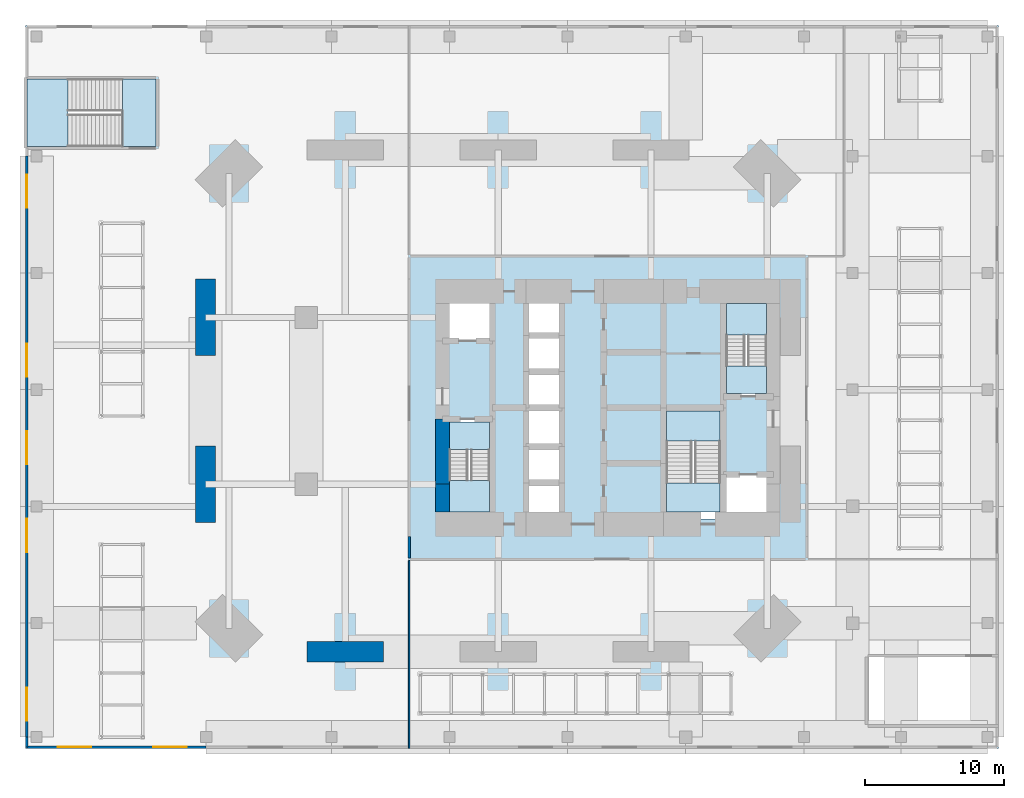
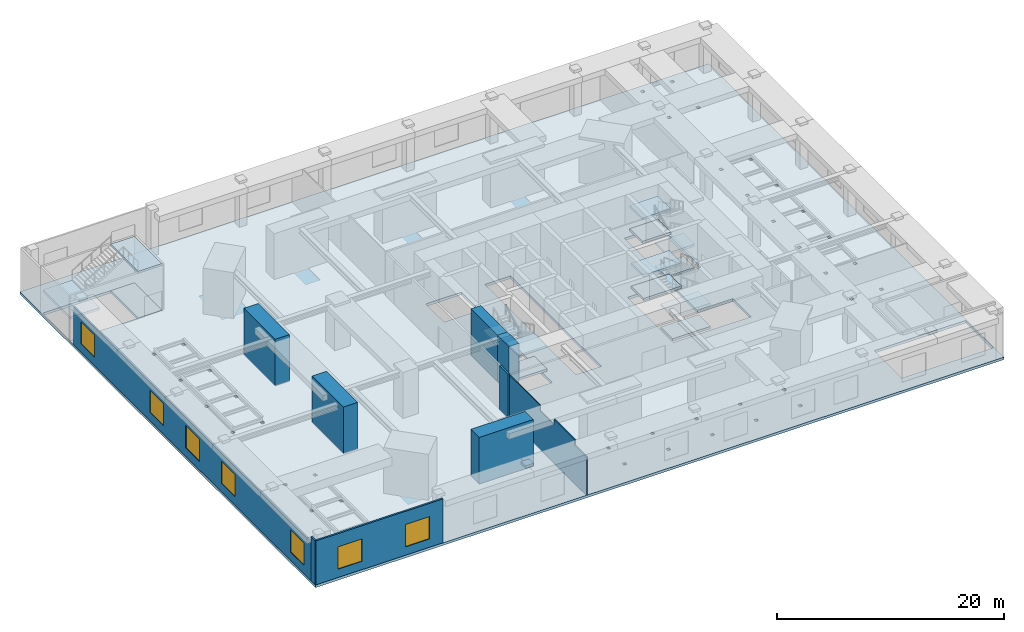
# One storey, part 10 of 17: 16 slabs, 10 walls, 7 windows, 7 openings, 4 elements without a shape of their own.
"""IFC4 building model written with IfcOpenShell, lengths in metres."""

from ifc_helpers import new_model, si_unit, direction, frame, frame_2d, origin, place, context, subcontext, project, spatial, polyline, rectangle, outline, extrude, material, layer, layer_set, constituent, constituent_set, type_object, element, fill, aggregate, save


model = new_model("IFC4")

# Units and contexts
model_context = context("Model", 3, precision=1e-05, world=origin(), true_north=direction((0.0, 1.0)))
body_context = subcontext(model_context, "Body", "Model", "MODEL_VIEW")
ifc_project = project(units=[si_unit("LENGTHUNIT", "METRE"), si_unit("AREAUNIT", "SQUARE_METRE"), si_unit("VOLUMEUNIT", "CUBIC_METRE"), si_unit("PLANEANGLEUNIT", "RADIAN"), si_unit("MASSUNIT", "GRAM", prefix="KILO")], contexts=[model_context])

# Site, building, storey
site_placement = place(None, origin())
site = spatial("IfcSite", under=ifc_project, at=site_placement, CompositionType="ELEMENT")
building_placement = place(site_placement, origin())
building = spatial("IfcBuilding", under=site, at=building_placement, Name="Jalousie Tower", CompositionType="ELEMENT")
storey_placement = place(building_placement, frame((0.0, 0.0, 16.0)))
storey = spatial("IfcBuildingStorey", under=building, at=storey_placement, Name="L03", CompositionType="ELEMENT", Elevation=16.0)

# Slab
ifc_material_1 = material(Name="Concrete f'c 40 MPa", Category="concrete")
ifc_layer_1 = layer(ifc_material_1, 0.280029296875)
ifc_layer_set_1 = layer_set([ifc_layer_1], Name="Concrete f'c 40 MPa")
slab_type_1 = type_object("IfcSlabType", Name="FLOOR SLAB 280", PredefinedType="FLOOR", material=ifc_layer_set_1)
slab_1_placement = place(storey_placement, frame((0.0, 0.0, -0.280029296875)))
element("IfcSlab", 1, at=slab_1_placement, inside=storey, type_object=slab_type_1, Name="L03 floor slab", PredefinedType="FLOOR", context=body_context, shape_type="SweptSolid", body=[
    extrude(outline(polyline([(-10.0, -6.0), (60.0, -6.0), (60.0, 46.0), (-10.0, 46.0), (-10.0, -6.0)]), holes=[polyline([(26.0, 10.5), (26.0, 26.5), (28.60009765625, 26.5), (28.60009765625, 10.5), (26.0, 10.5)]), polyline([(20.0, 10.5), (23.60009765625, 10.5), (23.60009765625, 17.699951171875), (20.0, 17.699951171875), (20.0, 10.5)]), polyline([(20.0, 23.300048828125), (23.60009765625, 23.300048828125), (23.60009765625, 26.5), (20.0, 26.5), (20.0, 23.300048828125)]), polyline([(-9.89990234375, 37.300048828125), (-0.60009765625, 37.300048828125), (-0.60009765625, 42.14990234375), (-9.89990234375, 42.14990234375), (-9.89990234375, 37.300048828125)]), polyline([(50.60009765625, -4.300048828125), (59.89990234375, -4.300048828125), (59.89990234375, 0.550048828125), (50.60009765625, 0.550048828125), (50.60009765625, -4.300048828125)]), polyline([(43.800048828125, 10.5), (35.89990234375, 10.5), (35.89990234375, 18.5), (40.199951171875, 18.5), (40.199951171875, 13.699951171875), (43.800048828125, 13.699951171875), (43.800048828125, 10.5)]), polyline([(40.199951171875, 19.300048828125), (43.800048828125, 19.300048828125), (43.800048828125, 26.5), (40.199951171875, 26.5), (40.199951171875, 19.300048828125)]), polyline([(-4.72509765625, -5.35009765625), (-4.425048828125, -5.35009765625), (-4.425048828125, -5.050048828125), (-4.72509765625, -5.050048828125), (-4.72509765625, -5.35009765625)]), polyline([(-1.72509765625, -5.35009765625), (-1.425048828125, -5.35009765625), (-1.425048828125, -5.050048828125), (-1.72509765625, -5.050048828125), (-1.72509765625, -5.35009765625)]), polyline([(-4.72509765625, -0.727783203125), (-4.425048828125, -0.727783203125), (-4.425048828125, -0.427734375), (-4.72509765625, -0.427734375), (-4.72509765625, -0.727783203125)]), polyline([(-1.72509765625, -0.727783203125), (-1.425048828125, -0.727783203125), (-1.425048828125, -0.427734375), (-1.72509765625, -0.427734375), (-1.72509765625, -0.727783203125)]), polyline([(-4.72509765625, 3.894287109375), (-4.425048828125, 3.894287109375), (-4.425048828125, 4.1943359375), (-4.72509765625, 4.1943359375), (-4.72509765625, 3.894287109375)]), polyline([(-1.72509765625, 3.894287109375), (-1.425048828125, 3.894287109375), (-1.425048828125, 4.1943359375), (-1.72509765625, 4.1943359375), (-1.72509765625, 3.894287109375)]), polyline([(-4.72509765625, 8.5166015625), (-4.425048828125, 8.5166015625), (-4.425048828125, 8.816650390625), (-4.72509765625, 8.816650390625), (-4.72509765625, 8.5166015625)]), polyline([(-1.72509765625, 8.5166015625), (-1.425048828125, 8.5166015625), (-1.425048828125, 8.816650390625), (-1.72509765625, 8.816650390625), (-1.72509765625, 8.5166015625)]), polyline([(-4.72509765625, 17.760986328125), (-4.425048828125, 17.760986328125), (-4.425048828125, 18.06103515625), (-4.72509765625, 18.06103515625), (-4.72509765625, 17.760986328125)]), polyline([(-1.72509765625, 17.760986328125), (-1.425048828125, 17.760986328125), (-1.425048828125, 18.06103515625), (-1.72509765625, 18.06103515625), (-1.72509765625, 17.760986328125)]), polyline([(-4.72509765625, 22.38330078125), (-4.425048828125, 22.38330078125), (-4.425048828125, 22.683349609375), (-4.72509765625, 22.683349609375), (-4.72509765625, 22.38330078125)]), polyline([(-1.72509765625, 22.38330078125), (-1.425048828125, 22.38330078125), (-1.425048828125, 22.683349609375), (-1.72509765625, 22.683349609375), (-1.72509765625, 22.38330078125)]), polyline([(-4.72509765625, 27.005615234375), (-4.425048828125, 27.005615234375), (-4.425048828125, 27.3056640625), (-4.72509765625, 27.3056640625), (-4.72509765625, 27.005615234375)]), polyline([(-1.72509765625, 27.005615234375), (-1.425048828125, 27.005615234375), (-1.425048828125, 27.3056640625), (-1.72509765625, 27.3056640625), (-1.72509765625, 27.005615234375)]), polyline([(-4.72509765625, 31.627685546875), (-4.425048828125, 31.627685546875), (-4.425048828125, 31.927734375), (-4.72509765625, 31.927734375), (-4.72509765625, 31.627685546875)]), polyline([(-1.72509765625, 31.627685546875), (-1.425048828125, 31.627685546875), (-1.425048828125, 31.927734375), (-1.72509765625, 31.927734375), (-1.72509765625, 31.627685546875)]), polyline([(18.25, -3.637451171875), (18.550048828125, -3.637451171875), (18.550048828125, -3.33740234375), (18.25, -3.33740234375), (18.25, -3.637451171875)]), polyline([(18.25, -0.8125), (18.550048828125, -0.8125), (18.550048828125, -0.512451171875), (18.25, -0.512451171875), (18.25, -0.8125)]), polyline([(22.721435546875, -3.637451171875), (23.021484375, -3.637451171875), (23.021484375, -3.33740234375), (22.721435546875, -3.33740234375), (22.721435546875, -3.637451171875)]), polyline([(22.721435546875, -0.8125), (23.021484375, -0.8125), (23.021484375, -0.512451171875), (22.721435546875, -0.512451171875), (22.721435546875, -0.8125)]), polyline([(27.19287109375, -3.637451171875), (27.492919921875, -3.637451171875), (27.492919921875, -3.33740234375), (27.19287109375, -3.33740234375), (27.19287109375, -3.637451171875)]), polyline([(27.19287109375, -0.8125), (27.492919921875, -0.8125), (27.492919921875, -0.512451171875), (27.19287109375, -0.512451171875), (27.19287109375, -0.8125)]), polyline([(31.664306640625, -3.637451171875), (31.96435546875, -3.637451171875), (31.96435546875, -3.33740234375), (31.664306640625, -3.33740234375), (31.664306640625, -3.637451171875)]), polyline([(31.664306640625, -0.8125), (31.96435546875, -0.8125), (31.96435546875, -0.512451171875), (31.664306640625, -0.512451171875), (31.664306640625, -0.8125)]), polyline([(36.1357421875, -3.637451171875), (36.435791015625, -3.637451171875), (36.435791015625, -3.33740234375), (36.1357421875, -3.33740234375), (36.1357421875, -3.637451171875)]), polyline([(36.1357421875, -0.8125), (36.435791015625, -0.8125), (36.435791015625, -0.512451171875), (36.1357421875, -0.512451171875), (36.1357421875, -0.8125)]), polyline([(40.607177734375, -3.637451171875), (40.906982421875, -3.637451171875), (40.906982421875, -3.33740234375), (40.607177734375, -3.33740234375), (40.607177734375, -3.637451171875)]), polyline([(40.607177734375, -0.8125), (40.906982421875, -0.8125), (40.906982421875, -0.512451171875), (40.607177734375, -0.512451171875), (40.607177734375, -0.8125)]), polyline([(52.699951171875, 8.25), (53.0, 8.25), (53.0, 8.550048828125), (52.699951171875, 8.550048828125), (52.699951171875, 8.25)]), polyline([(55.699951171875, 8.25), (56.0, 8.25), (56.0, 8.550048828125), (55.699951171875, 8.550048828125), (55.699951171875, 8.25)]), polyline([(52.699951171875, 12.85009765625), (53.0, 12.85009765625), (53.0, 13.14990234375), (52.699951171875, 13.14990234375), (52.699951171875, 12.85009765625)]), polyline([(55.699951171875, 12.85009765625), (56.0, 12.85009765625), (56.0, 13.14990234375), (55.699951171875, 13.14990234375), (55.699951171875, 12.85009765625)]), polyline([(52.699951171875, 17.449951171875), (53.0, 17.449951171875), (53.0, 17.75), (52.699951171875, 17.75), (52.699951171875, 17.449951171875)]), polyline([(55.699951171875, 17.449951171875), (56.0, 17.449951171875), (56.0, 17.75), (55.699951171875, 17.75), (55.699951171875, 17.449951171875)]), polyline([(52.699951171875, 22.050048828125), (53.0, 22.050048828125), (53.0, 22.35009765625), (52.699951171875, 22.35009765625), (52.699951171875, 22.050048828125)]), polyline([(55.699951171875, 22.050048828125), (56.0, 22.050048828125), (56.0, 22.35009765625), (55.699951171875, 22.35009765625), (55.699951171875, 22.050048828125)]), polyline([(52.699951171875, 26.64990234375), (53.0, 26.64990234375), (53.0, 26.949951171875), (52.699951171875, 26.949951171875), (52.699951171875, 26.64990234375)]), polyline([(55.699951171875, 26.64990234375), (56.0, 26.64990234375), (56.0, 26.949951171875), (55.699951171875, 26.949951171875), (55.699951171875, 26.64990234375)]), polyline([(52.699951171875, 31.25), (53.0, 31.25), (53.0, 31.550048828125), (52.699951171875, 31.550048828125), (52.699951171875, 31.25)]), polyline([(55.699951171875, 31.25), (56.0, 31.25), (56.0, 31.550048828125), (55.699951171875, 31.550048828125), (55.699951171875, 31.25)]), polyline([(52.699951171875, 40.449951171875), (53.0, 40.449951171875), (53.0, 40.75), (52.699951171875, 40.75), (52.699951171875, 40.449951171875)]), polyline([(55.699951171875, 40.449951171875), (56.0, 40.449951171875), (56.0, 40.75), (55.699951171875, 40.75), (55.699951171875, 40.449951171875)]), polyline([(52.699951171875, 45.050048828125), (53.0, 45.050048828125), (53.0, 45.35009765625), (52.699951171875, 45.35009765625), (52.699951171875, 45.050048828125)]), polyline([(55.699951171875, 45.050048828125), (56.0, 45.050048828125), (56.0, 45.35009765625), (55.699951171875, 45.35009765625), (55.699951171875, 45.050048828125)])]), origin(), (0.0, 0.0, 1.0), 0.280029296875),
])

# Stair, slabs
ifc_material_2 = material(Name="Concrete f'c 40 MPa", Category="concrete")
stair_type_1 = type_object("IfcStairType", Name="EXIT STAIR", PredefinedType="HALF_TURN_STAIR", material=ifc_material_2)
stair_1_placement = place(storey_placement, origin())
stair_1 = element("IfcStair", 2, at=stair_1_placement, inside=storey, type_object=stair_type_1, Name="Exit stair A L03", PredefinedType="HALF_TURN_STAIR")
ifc_material_3 = material(Name="Concrete f'c 40 MPa", Category="concrete")
ifc_layer_2 = layer(ifc_material_3, 0.25)
ifc_layer_set_2 = layer_set([ifc_layer_2], Name="Concrete f'c 40 MPa")
slab_type_2 = type_object("IfcSlabType", Name="STAIR LANDING 250", PredefinedType="LANDING", material=ifc_layer_set_2)
slab_2_placement = place(storey_placement, frame((0.0, 0.0, -0.25)))
slab_2 = element("IfcSlab", 3, at=slab_2_placement, type_object=slab_type_2, Name="ST-A landing 1", PredefinedType="LANDING", context=body_context, shape_type="SweptSolid", body=[
    extrude(outline(polyline([(20.5, 15.49755859375), (23.375, 15.49755859375), (23.375, 17.47509765625), (20.5, 17.47509765625), (20.5, 15.49755859375)])), origin(), (0.0, 0.0, 1.0), 0.25),
])
slab_3_placement = place(storey_placement, frame((0.0, 0.0, 1.0)))
slab_3 = element("IfcSlab", 4, at=slab_3_placement, type_object=slab_type_2, Name="ST-A landing 2", PredefinedType="LANDING", context=body_context, shape_type="SweptSolid", body=[
    extrude(outline(polyline([(20.5, 11.0), (23.375, 11.0), (23.375, 13.257568359375), (20.5, 13.257568359375), (20.5, 11.0)])), origin(), (0.0, 0.0, 1.0), 0.25),
])
slab_4_placement = place(storey_placement, frame((0.0, 0.0, 2.25)))
slab_4 = element("IfcSlab", 5, at=slab_4_placement, type_object=slab_type_2, Name="ST-A landing 3", PredefinedType="LANDING", context=body_context, shape_type="SweptSolid", body=[
    extrude(outline(polyline([(20.5, 15.49755859375), (23.375, 15.49755859375), (23.375, 17.47509765625), (20.5, 17.47509765625), (20.5, 15.49755859375)])), origin(), (0.0, 0.0, 1.0), 0.25),
])
slab_5_placement = place(storey_placement, frame((0.0, 0.0, 3.5)))
slab_5 = element("IfcSlab", 6, at=slab_5_placement, type_object=slab_type_2, Name="ST-A landing 4", PredefinedType="LANDING", context=body_context, shape_type="SweptSolid", body=[
    extrude(outline(polyline([(20.5, 11.0), (23.375, 11.0), (23.375, 13.257568359375), (20.5, 13.257568359375), (20.5, 11.0)])), origin(), (0.0, 0.0, 1.0), 0.25),
])
aggregate(stair_1, [slab_2, slab_3, slab_4, slab_5])

stair_2_placement = place(storey_placement, origin())
stair_2 = element("IfcStair", 7, at=stair_2_placement, inside=storey, type_object=stair_type_1, Name="Exit stair B L03", PredefinedType="HALF_TURN_STAIR")
slab_6_placement = place(storey_placement, frame((0.0, 0.0, -0.25)))
slab_6 = element("IfcSlab", 8, at=slab_6_placement, type_object=slab_type_2, Name="ST-B landing 1", PredefinedType="LANDING", context=body_context, shape_type="SweptSolid", body=[
    extrude(outline(polyline([(40.425048828125, 19.52490234375), (43.300048828125, 19.52490234375), (43.300048828125, 21.50244140625), (40.425048828125, 21.50244140625), (40.425048828125, 19.52490234375)])), origin(), (0.0, 0.0, 1.0), 0.25),
])
slab_7_placement = place(storey_placement, frame((0.0, 0.0, 1.0)))
slab_7 = element("IfcSlab", 9, at=slab_7_placement, type_object=slab_type_2, Name="ST-B landing 2", PredefinedType="LANDING", context=body_context, shape_type="SweptSolid", body=[
    extrude(outline(polyline([(40.425048828125, 23.742431640625), (43.300048828125, 23.742431640625), (43.300048828125, 26.0), (40.425048828125, 26.0), (40.425048828125, 23.742431640625)])), origin(), (0.0, 0.0, 1.0), 0.25),
])
slab_8_placement = place(storey_placement, frame((0.0, 0.0, 2.25)))
slab_8 = element("IfcSlab", 10, at=slab_8_placement, type_object=slab_type_2, Name="ST-B landing 3", PredefinedType="LANDING", context=body_context, shape_type="SweptSolid", body=[
    extrude(outline(polyline([(40.425048828125, 19.52490234375), (43.300048828125, 19.52490234375), (43.300048828125, 21.50244140625), (40.425048828125, 21.50244140625), (40.425048828125, 19.52490234375)])), origin(), (0.0, 0.0, 1.0), 0.25),
])
slab_9_placement = place(storey_placement, frame((0.0, 0.0, 3.5)))
slab_9 = element("IfcSlab", 11, at=slab_9_placement, type_object=slab_type_2, Name="ST-B landing 4", PredefinedType="LANDING", context=body_context, shape_type="SweptSolid", body=[
    extrude(outline(polyline([(40.425048828125, 23.742431640625), (43.300048828125, 23.742431640625), (43.300048828125, 26.0), (40.425048828125, 26.0), (40.425048828125, 23.742431640625)])), origin(), (0.0, 0.0, 1.0), 0.25),
])
aggregate(stair_2, [slab_6, slab_7, slab_8, slab_9])

stair_3_placement = place(storey_placement, origin())
stair_3 = element("IfcStair", 12, at=stair_3_placement, inside=storey, type_object=stair_type_1, Name="Exit stair C L03", PredefinedType="HALF_TURN_STAIR")
slab_10_placement = place(storey_placement, frame((0.0, 0.0, -0.25)))
slab_10 = element("IfcSlab", 13, at=slab_10_placement, type_object=slab_type_2, Name="ST-C landing 1", PredefinedType="LANDING", context=body_context, shape_type="SweptSolid", body=[
    extrude(outline(polyline([(36.125, 11.0), (39.97509765625, 11.0), (39.97509765625, 13.097412109375), (36.125, 13.097412109375), (36.125, 11.0)])), origin(), (0.0, 0.0, 1.0), 0.25),
])
slab_11_placement = place(storey_placement, frame((0.0, 0.0, 1.0)))
slab_11 = element("IfcSlab", 14, at=slab_11_placement, type_object=slab_type_2, Name="ST-C landing 2", PredefinedType="LANDING", context=body_context, shape_type="SweptSolid", body=[
    extrude(outline(polyline([(36.125, 16.097412109375), (39.97509765625, 16.097412109375), (39.97509765625, 18.27490234375), (36.125, 18.27490234375), (36.125, 16.097412109375)])), origin(), (0.0, 0.0, 1.0), 0.25),
])
slab_12_placement = place(storey_placement, frame((0.0, 0.0, 2.25)))
slab_12 = element("IfcSlab", 15, at=slab_12_placement, type_object=slab_type_2, Name="ST-C landing 3", PredefinedType="LANDING", context=body_context, shape_type="SweptSolid", body=[
    extrude(outline(polyline([(36.125, 11.0), (39.97509765625, 11.0), (39.97509765625, 13.097412109375), (36.125, 13.097412109375), (36.125, 11.0)])), origin(), (0.0, 0.0, 1.0), 0.25),
])
slab_13_placement = place(storey_placement, frame((0.0, 0.0, 3.5)))
slab_13 = element("IfcSlab", 16, at=slab_13_placement, type_object=slab_type_2, Name="ST-C landing 4", PredefinedType="LANDING", context=body_context, shape_type="SweptSolid", body=[
    extrude(outline(polyline([(36.125, 16.097412109375), (39.97509765625, 16.097412109375), (39.97509765625, 18.27490234375), (36.125, 18.27490234375), (36.125, 16.097412109375)])), origin(), (0.0, 0.0, 1.0), 0.25),
])
aggregate(stair_3, [slab_10, slab_11, slab_12, slab_13])

ifc_material_4 = material(Name="Concrete f'c 40 MPa", Category="concrete")
stair_type_2 = type_object("IfcStairType", Name="WIDE EXIT STAIR", PredefinedType="HALF_TURN_STAIR", material=ifc_material_4)
stair_4_placement = place(storey_placement, origin())
stair_4 = element("IfcStair", 17, at=stair_4_placement, inside=storey, type_object=stair_type_2, Name="Exit stair PS1 L03", PredefinedType="HALF_TURN_STAIR")
slab_14_placement = place(storey_placement, frame((0.0, 0.0, -0.25)))
slab_14 = element("IfcSlab", 18, at=slab_14_placement, type_object=slab_type_2, Name="PS1 landing 1", PredefinedType="LANDING", context=body_context, shape_type="SweptSolid", body=[
    extrude(outline(polyline([(-0.60009765625, 37.300048828125), (-0.60009765625, 42.14990234375), (-3.010009765625, 42.14990234375), (-3.010009765625, 37.300048828125), (-0.60009765625, 37.300048828125)])), origin(), (0.0, 0.0, 1.0), 0.25),
])
slab_15_placement = place(storey_placement, frame((0.0, 0.0, 2.25)))
slab_15 = element("IfcSlab", 19, at=slab_15_placement, type_object=slab_type_2, Name="PS1 landing 2", PredefinedType="LANDING", context=body_context, shape_type="SweptSolid", body=[
    extrude(outline(polyline([(-6.929931640625, 42.14990234375), (-9.89990234375, 42.14990234375), (-9.89990234375, 37.300048828125), (-6.929931640625, 37.300048828125), (-6.929931640625, 42.14990234375)])), origin(), (0.0, 0.0, 1.0), 0.25),
])
slab_16_placement = place(storey_placement, frame((0.0, 0.0, 4.75)))
slab_16 = element("IfcSlab", 20, at=slab_16_placement, type_object=slab_type_2, Name="PS1 landing 3", PredefinedType="LANDING", context=body_context, shape_type="SweptSolid", body=[
    extrude(outline(polyline([(-0.60009765625, 37.300048828125), (-0.60009765625, 42.14990234375), (-3.010009765625, 42.14990234375), (-3.010009765625, 37.300048828125), (-0.60009765625, 37.300048828125)])), origin(), (0.0, 0.0, 1.0), 0.25),
])
aggregate(stair_4, [slab_14, slab_15, slab_16])

# Walls
ifc_material_5 = material(Name="Concrete f'c 120 MPa", Category="concrete")
ifc_layer_3 = layer(ifc_material_5, 1.0)
ifc_layer_set_3 = layer_set([ifc_layer_3], Name="Concrete f'c 120 MPa")
wall_type_1 = type_object("IfcWallType", Name="CORE WALL 1000", PredefinedType="SHEAR", material=ifc_layer_set_3)
wall_1_placement = place(storey_placement, frame((20.0, 17.699951171875, 0.0), z_axis=(0.0, 0.0, 1.0), x_axis=(0.0, -1.0, 0.0)))
element("IfcWall", 21, at=wall_1_placement, inside=storey, type_object=wall_type_1, Name="Core wall WC L03", PredefinedType="SHEAR", context=body_context, shape_type="SweptSolid", body=[
    extrude(rectangle(XDim=4.699951171875, YDim=1.0, at=frame_2d((2.35009765625, 0.0))), origin(), (0.0, 0.0, 1.0), 5.0),
])
wall_2_placement = place(storey_placement, frame((20.0, 13.0, 0.0), z_axis=(0.0, 0.0, 1.0), x_axis=(0.0, -1.0, 0.0)))
element("IfcWall", 22, at=wall_2_placement, inside=storey, type_object=wall_type_1, Name="Core wall WD L03", PredefinedType="SHEAR", context=body_context, shape_type="SweptSolid", body=[
    extrude(rectangle(XDim=2.0, YDim=1.0, at=frame_2d((1.0, 0.0))), origin(), (0.0, 0.0, 1.0), 5.0),
])
ifc_material_6 = material(Name="Concrete block ASTM C90", Category="concrete")
ifc_constituent_1 = constituent(ifc_material_6, Name="Body")
ifc_material_7 = material(Name="Render")
ifc_constituent_2 = constituent(ifc_material_7, Name="Finish")
ifc_constituent_set_1 = constituent_set(constituents=[ifc_constituent_1, ifc_constituent_2])
wall_type_2 = type_object("IfcWallType", Name="CORRIDOR WALL 200", PredefinedType="PARTITIONING", material=ifc_constituent_set_1)
wall_3_placement = place(storey_placement, frame((17.60009765625, 7.699951171875, 0.0), z_axis=(0.0, 0.0, 1.0), x_axis=(0.0, 1.0, 0.0)))
element("IfcWall", 23, at=wall_3_placement, inside=storey, type_object=wall_type_2, Name="Corridor Wall 200 L03", PredefinedType="PARTITIONING", context=body_context, shape_type="SweptSolid", body=[
    extrude(rectangle(XDim=1.550048828125, YDim=0.199951171875, at=frame_2d((0.77490234375, 0.0))), origin(), (0.0, 0.0, 1.0), 4.719970703125),
])

# Wall, openings, windows
ifc_material_8 = material(Name="Concrete f'c 40 MPa", Category="concrete")
ifc_constituent_3 = constituent(ifc_material_8, Name="Body")
ifc_material_9 = material(Name="Render, pastel coral")
ifc_constituent_4 = constituent(ifc_material_9, Name="Finish")
ifc_constituent_set_2 = constituent_set(constituents=[ifc_constituent_3, ifc_constituent_4])
wall_type_3 = type_object("IfcWallType", Name="EXTERNAL WALL 175 CORAL RENDER", PredefinedType="SOLIDWALL", material=ifc_constituent_set_2)
wall_4_placement = place(storey_placement, frame((-9.91259765625, -5.91259765625, 0.0), z_axis=(0.0, 0.0, 1.0), x_axis=(1.0, 0.0, 0.0)))
wall_4 = element("IfcWall", 24, at=wall_4_placement, inside=storey, type_object=wall_type_3, Name="External Wall 175 Coral Render L03-A", PredefinedType="SOLIDWALL", context=body_context, shape_type="SweptSolid", body=[
    extrude(rectangle(XDim=12.91259765625, YDim=0.175048828125, at=frame_2d((6.456298828125, 0.0))), origin(), (0.0, 0.0, 1.0), 4.719970703125),
])
opening_1_placement = place(wall_4_placement, frame((2.23291015625, 0.0, 0.89990234375)))
opening_1 = element("IfcOpeningElement", 25, at=opening_1_placement, cuts=wall_4, Name="Opening W-PLANT", PredefinedType="OPENING", context=body_context, shape_type="SweptSolid", body=[
    extrude(rectangle(XDim=2.39990234375, YDim=2.39990234375, at=frame_2d((1.199951171875, 1.199951171875))), frame((0.0, 0.097412109375, 0.0), z_axis=(0.0, -1.0, 0.0), x_axis=(1.0, 0.0, 0.0)), (0.0, 0.0, 1.0), 0.195068359375),
])
opening_2_placement = place(wall_4_placement, frame((9.098388671875, 0.0, 0.89990234375)))
opening_2 = element("IfcOpeningElement", 26, at=opening_2_placement, cuts=wall_4, Name="Opening W-PLANT", PredefinedType="OPENING", context=body_context, shape_type="SweptSolid", body=[
    extrude(rectangle(XDim=2.39990234375, YDim=2.39990234375, at=frame_2d((1.199951171875, 1.199951171875))), frame((0.0, 0.097412109375, 0.0), z_axis=(0.0, -1.0, 0.0), x_axis=(1.0, 0.0, 0.0)), (0.0, 0.0, 1.0), 0.195068359375),
])
ifc_material_10 = material(Name="Aluminium frame, impact-rated glazing", Category="aluminium")
window_type = type_object("IfcWindowType", Name="WINDOW PLANT 2400x2400", PartitioningType="DOUBLE_PANEL_VERTICAL", PredefinedType="WINDOW", material=ifc_material_10)
window_1_placement = place(opening_1_placement, origin())
window_1 = element("IfcWindow", 27, at=window_1_placement, inside=storey, type_object=window_type, Name="Mechanical plant room louvre", OverallHeight=2.39990234375, OverallWidth=2.39990234375, PartitioningType="SINGLE_PANEL", PredefinedType="WINDOW", context=body_context, shape_type="SweptSolid", body=[
    extrude(rectangle(XDim=2.39990234375, YDim=2.39990234375, at=frame_2d((1.199951171875, 1.199951171875))), frame((0.0, 0.030029296875, 0.0), z_axis=(0.0, -1.0, 0.0), x_axis=(1.0, 0.0, 0.0)), (0.0, 0.0, 1.0), 0.06005859375),
])
fill(opening_1, window_1)
window_2_placement = place(opening_2_placement, origin())
window_2 = element("IfcWindow", 28, at=window_2_placement, inside=storey, type_object=window_type, Name="Mechanical plant room louvre", OverallHeight=2.39990234375, OverallWidth=2.39990234375, PartitioningType="SINGLE_PANEL", PredefinedType="WINDOW", context=body_context, shape_type="SweptSolid", body=[
    extrude(rectangle(XDim=2.39990234375, YDim=2.39990234375, at=frame_2d((1.199951171875, 1.199951171875))), frame((0.0, 0.030029296875, 0.0), z_axis=(0.0, -1.0, 0.0), x_axis=(1.0, 0.0, 0.0)), (0.0, 0.0, 1.0), 0.06005859375),
])
fill(opening_2, window_2)

wall_5_placement = place(storey_placement, frame((-9.91259765625, 36.60009765625, 0.0), z_axis=(0.0, 0.0, 1.0), x_axis=(0.0, -1.0, 0.0)))
wall_5 = element("IfcWall", 29, at=wall_5_placement, inside=storey, type_object=wall_type_3, Name="External Wall 175 Coral Render L03-B", PredefinedType="SOLIDWALL", context=body_context, shape_type="SweptSolid", body=[
    extrude(rectangle(XDim=41.800048828125, YDim=0.175048828125, at=frame_2d((20.89990234375, 0.0))), origin(), (0.0, 0.0, 1.0), 4.1201171875),
])
opening_3_placement = place(wall_5_placement, frame((1.325927734375, 0.0, 0.89990234375)))
opening_3 = element("IfcOpeningElement", 30, at=opening_3_placement, cuts=wall_5, Name="Opening W-PLANT", PredefinedType="OPENING", context=body_context, shape_type="SweptSolid", body=[
    extrude(rectangle(XDim=2.39990234375, YDim=2.39990234375, at=frame_2d((1.199951171875, 1.199951171875))), frame((0.0, 0.097412109375, 0.0), z_axis=(0.0, -1.0, 0.0), x_axis=(1.0, 0.0, 0.0)), (0.0, 0.0, 1.0), 0.195068359375),
])
opening_4_placement = place(wall_5_placement, frame((13.476806640625, 0.0, 0.89990234375)))
opening_4 = element("IfcOpeningElement", 31, at=opening_4_placement, cuts=wall_5, Name="Opening W-PLANT", PredefinedType="OPENING", context=body_context, shape_type="SweptSolid", body=[
    extrude(rectangle(XDim=2.39990234375, YDim=2.39990234375, at=frame_2d((1.199951171875, 1.199951171875))), frame((0.0, 0.097412109375, 0.0), z_axis=(0.0, -1.0, 0.0), x_axis=(1.0, 0.0, 0.0)), (0.0, 0.0, 1.0), 0.195068359375),
])
opening_5_placement = place(wall_5_placement, frame((19.78125, 0.0, 0.89990234375)))
opening_5 = element("IfcOpeningElement", 32, at=opening_5_placement, cuts=wall_5, Name="Opening W-PLANT", PredefinedType="OPENING", context=body_context, shape_type="SweptSolid", body=[
    extrude(rectangle(XDim=2.39990234375, YDim=2.39990234375, at=frame_2d((1.199951171875, 1.199951171875))), frame((0.0, 0.097412109375, 0.0), z_axis=(0.0, -1.0, 0.0), x_axis=(1.0, 0.0, 0.0)), (0.0, 0.0, 1.0), 0.195068359375),
])
opening_6_placement = place(wall_5_placement, frame((26.085693359375, 0.0, 0.89990234375)))
opening_6 = element("IfcOpeningElement", 33, at=opening_6_placement, cuts=wall_5, Name="Opening W-PLANT", PredefinedType="OPENING", context=body_context, shape_type="SweptSolid", body=[
    extrude(rectangle(XDim=2.39990234375, YDim=2.39990234375, at=frame_2d((1.199951171875, 1.199951171875))), frame((0.0, 0.097412109375, 0.0), z_axis=(0.0, -1.0, 0.0), x_axis=(1.0, 0.0, 0.0)), (0.0, 0.0, 1.0), 0.195068359375),
])
opening_7_placement = place(wall_5_placement, frame((38.236572265625, 0.0, 0.89990234375)))
opening_7 = element("IfcOpeningElement", 34, at=opening_7_placement, cuts=wall_5, Name="Opening W-PLANT", PredefinedType="OPENING", context=body_context, shape_type="SweptSolid", body=[
    extrude(rectangle(XDim=2.39990234375, YDim=2.39990234375, at=frame_2d((1.199951171875, 1.199951171875))), frame((0.0, 0.097412109375, 0.0), z_axis=(0.0, -1.0, 0.0), x_axis=(1.0, 0.0, 0.0)), (0.0, 0.0, 1.0), 0.195068359375),
])
window_3_placement = place(opening_3_placement, origin())
window_3 = element("IfcWindow", 35, at=window_3_placement, inside=storey, type_object=window_type, Name="Mechanical plant room louvre", OverallHeight=2.39990234375, OverallWidth=2.39990234375, PartitioningType="SINGLE_PANEL", PredefinedType="WINDOW", context=body_context, shape_type="SweptSolid", body=[
    extrude(rectangle(XDim=2.39990234375, YDim=2.39990234375, at=frame_2d((1.199951171875, 1.199951171875))), frame((0.0, 0.030029296875, 0.0), z_axis=(0.0, -1.0, 0.0), x_axis=(1.0, 0.0, 0.0)), (0.0, 0.0, 1.0), 0.06005859375),
])
fill(opening_3, window_3)
window_4_placement = place(opening_4_placement, origin())
window_4 = element("IfcWindow", 36, at=window_4_placement, inside=storey, type_object=window_type, Name="Mechanical plant room louvre", OverallHeight=2.39990234375, OverallWidth=2.39990234375, PartitioningType="SINGLE_PANEL", PredefinedType="WINDOW", context=body_context, shape_type="SweptSolid", body=[
    extrude(rectangle(XDim=2.39990234375, YDim=2.39990234375, at=frame_2d((1.199951171875, 1.199951171875))), frame((0.0, 0.030029296875, 0.0), z_axis=(0.0, -1.0, 0.0), x_axis=(1.0, 0.0, 0.0)), (0.0, 0.0, 1.0), 0.06005859375),
])
fill(opening_4, window_4)
window_5_placement = place(opening_5_placement, origin())
window_5 = element("IfcWindow", 37, at=window_5_placement, inside=storey, type_object=window_type, Name="Mechanical plant room louvre", OverallHeight=2.39990234375, OverallWidth=2.39990234375, PartitioningType="SINGLE_PANEL", PredefinedType="WINDOW", context=body_context, shape_type="SweptSolid", body=[
    extrude(rectangle(XDim=2.39990234375, YDim=2.39990234375, at=frame_2d((1.199951171875, 1.199951171875))), frame((0.0, 0.030029296875, 0.0), z_axis=(0.0, -1.0, 0.0), x_axis=(1.0, 0.0, 0.0)), (0.0, 0.0, 1.0), 0.06005859375),
])
fill(opening_5, window_5)
window_6_placement = place(opening_6_placement, origin())
window_6 = element("IfcWindow", 38, at=window_6_placement, inside=storey, type_object=window_type, Name="Mechanical plant room louvre", OverallHeight=2.39990234375, OverallWidth=2.39990234375, PartitioningType="SINGLE_PANEL", PredefinedType="WINDOW", context=body_context, shape_type="SweptSolid", body=[
    extrude(rectangle(XDim=2.39990234375, YDim=2.39990234375, at=frame_2d((1.199951171875, 1.199951171875))), frame((0.0, 0.030029296875, 0.0), z_axis=(0.0, -1.0, 0.0), x_axis=(1.0, 0.0, 0.0)), (0.0, 0.0, 1.0), 0.06005859375),
])
fill(opening_6, window_6)
window_7_placement = place(opening_7_placement, origin())
window_7 = element("IfcWindow", 39, at=window_7_placement, inside=storey, type_object=window_type, Name="Mechanical plant room louvre", OverallHeight=2.39990234375, OverallWidth=2.39990234375, PartitioningType="SINGLE_PANEL", PredefinedType="WINDOW", context=body_context, shape_type="SweptSolid", body=[
    extrude(rectangle(XDim=2.39990234375, YDim=2.39990234375, at=frame_2d((1.199951171875, 1.199951171875))), frame((0.0, 0.030029296875, 0.0), z_axis=(0.0, -1.0, 0.0), x_axis=(1.0, 0.0, 0.0)), (0.0, 0.0, 1.0), 0.06005859375),
])
fill(opening_7, window_7)

# Walls
wall_6_placement = place(storey_placement, frame((-9.91259765625, -5.199951171875, 0.0), z_axis=(0.0, 0.0, 1.0), x_axis=(0.0, -1.0, 0.0)))
element("IfcWall", 40, at=wall_6_placement, inside=storey, type_object=wall_type_3, Name="External Wall 175 Coral Render L03-C", PredefinedType="SOLIDWALL", context=body_context, shape_type="SweptSolid", body=[
    extrude(rectangle(XDim=0.712646484375, YDim=0.175048828125, at=frame_2d((0.3564453125, 0.0))), origin(), (0.0, 0.0, 1.0), 4.719970703125),
])
ifc_material_11 = material(Name="Gypsum board", Category="gypsum")
ifc_constituent_5 = constituent(ifc_material_11, Name="Body")
ifc_material_12 = material(Name="Light-gauge steel studs ASTM A653 SS Grade 33", Category="steel")
ifc_constituent_6 = constituent(ifc_material_12, Name="Framing")
ifc_constituent_set_3 = constituent_set(constituents=[ifc_constituent_5, ifc_constituent_6])
wall_type_4 = type_object("IfcWallType", Name="PARTITION 100", PredefinedType="PARTITIONING", material=ifc_constituent_set_3)
wall_7_placement = place(storey_placement, frame((17.60009765625, -6.0, 0.0), z_axis=(0.0, 0.0, 1.0), x_axis=(0.0, 1.0, 0.0)))
element("IfcWall", 41, at=wall_7_placement, inside=storey, type_object=wall_type_4, Name="Partition 100 L03", PredefinedType="PARTITIONING", context=body_context, shape_type="SweptSolid", body=[
    extrude(outline(polyline([(0.0, 0.0), (13.5, 0.0), (13.5, 4.719970703125), (8.2099609375, 4.719970703125), (8.2099609375, 4.1201171875), (5.68994140625, 4.1201171875), (5.68994140625, 4.719970703125), (2.06005859375, 4.719970703125), (2.06005859375, 4.1201171875), (0.0, 4.1201171875), (0.0, 4.719970703125), (0.0, 0.0)])), frame((0.0, 0.050048828125, 0.0), z_axis=(0.0, -1.0, 0.0), x_axis=(1.0, 0.0, 0.0)), (0.0, 0.0, 1.0), 0.10009765625),
])
ifc_material_13 = material(Name="Concrete f'c 120 MPa", Category="concrete")
ifc_layer_4 = layer(ifc_material_13, 1.449951171875)
ifc_layer_set_4 = layer_set([ifc_layer_4], Name="Concrete f'c 120 MPa")
wall_type_5 = type_object("IfcWallType", Name="RC WALL PIER 1450", PredefinedType="SHEAR", material=ifc_layer_set_4)
for number, where, z_axis, x_axis, name in (
    (42, (10.25, 0.949951171875, 0.0), (0.0, 0.0, 1.0), (1.0, 0.0, 0.0), "Wall pier 02 L03"),
    (43, (2.949951171875, 22.25, 0.0), (0.0, 0.0, 1.0), (0.0, 1.0, 0.0), "Wall pier 13 L03"),
    (44, (2.949951171875, 10.25, 0.0), (0.0, 0.0, 1.0), (0.0, 1.0, 0.0), "Wall pier 14 L03"),
):
    element("IfcWall", number, at=place(storey_placement, frame(where, z_axis=z_axis, x_axis=x_axis)), inside=storey, type_object=wall_type_5, Name=name, PredefinedType="SHEAR", context=body_context, shape_type="SweptSolid", body=[
        extrude(rectangle(XDim=5.5, YDim=1.449951171875, at=frame_2d((2.75, 0.0))), origin(), (0.0, 0.0, 1.0), 5.0),
    ])

save(model, "model.ifc")
